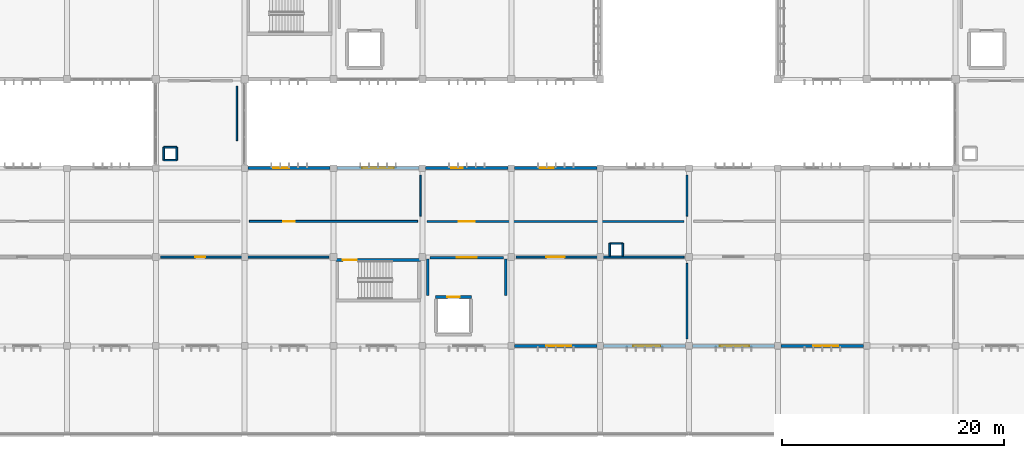
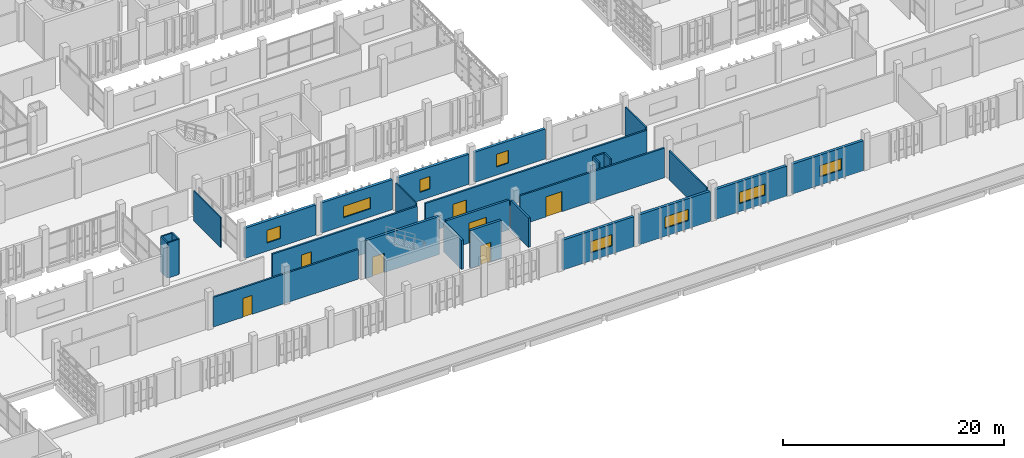
# One storey, part 113 of 137: 28 walls, 8 windows, 7 doors, 15 openings.
"""IFC4 building model written with IfcOpenShell, lengths in metres."""

from ifc_helpers import new_model, si_unit, direction, frame, frame_2d, origin, place, context, subcontext, project, spatial, rectangle, extrude, material, layer, layer_set, type_object, element, fill, save


model = new_model("IFC4")

# Units and contexts
model_context = context("Model", 3, precision=1e-05, world=origin(), true_north=direction((0.0, 1.0)))
body_context = subcontext(model_context, "Body", "Model", "MODEL_VIEW")
ifc_project = project(units=[si_unit("LENGTHUNIT", "METRE"), si_unit("AREAUNIT", "SQUARE_METRE"), si_unit("VOLUMEUNIT", "CUBIC_METRE"), si_unit("PLANEANGLEUNIT", "RADIAN"), si_unit("MASSUNIT", "GRAM", prefix="KILO")], contexts=[model_context])

# Site, building, storey
site_placement = place(None, origin())
site = spatial("IfcSite", under=ifc_project, at=site_placement, CompositionType="ELEMENT")
building_placement = place(site_placement, origin())
building = spatial("IfcBuilding", under=site, at=building_placement, Name="Jelvoka-Kovrelna Polytechnic", CompositionType="ELEMENT")
storey_placement = place(building_placement, frame((0.0, 0.0, 9.60009765625)))
storey = spatial("IfcBuildingStorey", under=building, at=storey_placement, Name="L03", CompositionType="ELEMENT", Elevation=9.60009765625)

# Wall, opening, door
ifc_material_1 = material(Name="Concrete C35/45", Category="concrete")
ifc_layer_1 = layer(ifc_material_1, 0.219970703125)
ifc_layer_set_1 = layer_set([ifc_layer_1], Name="Concrete C35/45")
wall_type_1 = type_object("IfcWallType", Name="Wall_Compartment_220", PredefinedType="PARTITIONING", material=ifc_layer_set_1)
wall_1_placement = place(storey_placement, frame((96.699951171875, 15.949951171875, 0.0), z_axis=(0.0, 0.0, 1.0), x_axis=(1.0, 0.0, 0.0)))
wall_1 = element("IfcWall", 1, at=wall_1_placement, inside=storey, type_object=wall_type_1, Name="L03 interior wall 0538", PredefinedType="PARTITIONING", context=body_context, shape_type="SweptSolid", body=[
    extrude(rectangle(XDim=6.60009765625, YDim=0.219970703125, at=frame_2d((3.300048828125, 0.0))), origin(), (0.0, 0.0, 1.0), 3.27490234375),
])
opening_1_placement = place(wall_1_placement, frame((2.39990234375, 0.0, 0.0)))
opening_1 = element("IfcOpeningElement", 2, at=opening_1_placement, cuts=wall_1, Name="Opening FD-L03-099", PredefinedType="OPENING", context=body_context, shape_type="SweptSolid", body=[
    extrude(rectangle(XDim=1.800048828125, YDim=2.199951171875, at=frame_2d((0.89990234375, 1.10009765625))), frame((0.0, 0.119873046875, 0.0), z_axis=(0.0, -1.0, 0.0), x_axis=(1.0, 0.0, 0.0)), (0.0, 0.0, 1.0), 0.239990234375),
])
ifc_material_2 = material(Name="Paired steel corridor fire door", Category="steel")
door_type_1 = type_object("IfcDoorType", Name="Door_Fire_FD03", OperationType="NOTDEFINED", PredefinedType="DOOR", material=ifc_material_2)
door_1_placement = place(opening_1_placement, origin())
door_1 = element("IfcDoor", 3, at=door_1_placement, inside=storey, type_object=door_type_1, Name="L03 interior door FD-L03-099", OperationType="DOUBLE_DOOR_SINGLE_SWING", OverallHeight=2.199951171875, OverallWidth=1.800048828125, PredefinedType="DOOR", context=body_context, shape_type="SweptSolid", body=[
    extrude(rectangle(XDim=1.800048828125, YDim=2.199951171875, at=frame_2d((0.89990234375, 1.10009765625))), frame((0.0, 0.02490234375, 0.0), z_axis=(0.0, -1.0, 0.0), x_axis=(1.0, 0.0, 0.0)), (0.0, 0.0, 1.0), 0.050048828125),
])
fill(opening_1, door_1)

# Walls
for number, where, z_axis, x_axis, name in (
    (4, (96.5, 12.550048828125, 0.0), (0.0, 0.0, 1.0), (0.0, 1.0, 0.0), "L03 interior wall 0539"),
    (5, (103.5, 12.550048828125, 0.0), (0.0, 0.0, 1.0), (0.0, 1.0, 0.0), "L03 interior wall 0540"),
):
    element("IfcWall", number, at=place(storey_placement, frame(where, z_axis=z_axis, x_axis=x_axis)), inside=storey, type_object=wall_type_1, Name=name, PredefinedType="PARTITIONING", context=body_context, shape_type="SweptSolid", body=[
        extrude(rectangle(XDim=3.25, YDim=0.219970703125, at=frame_2d((1.625, 0.0))), origin(), (0.0, 0.0, 1.0), 3.224853515625),
    ])

# Wall, opening, door
ifc_material_3 = material(Name="Concrete C40/50", Category="concrete")
ifc_layer_2 = layer(ifc_material_3, 0.25)
ifc_layer_set_2 = layer_set([ifc_layer_2], Name="Concrete C40/50")
wall_type_2 = type_object("IfcWallType", Name="Wall_Core_250", PredefinedType="SOLIDWALL", material=ifc_layer_set_2)
wall_2_placement = place(storey_placement, frame((88.199951171875, 15.739990234375, 0.0), z_axis=(0.0, 0.0, 1.0), x_axis=(1.0, 0.0, 0.0)))
wall_2 = element("IfcWall", 6, at=wall_2_placement, inside=storey, type_object=wall_type_2, Name="L03 interior wall 0075", PredefinedType="SOLIDWALL", context=body_context, shape_type="SweptSolid", body=[
    extrude(rectangle(XDim=7.650146484375, YDim=0.25, at=frame_2d((3.8251953125, 0.0))), origin(), (0.0, 0.0, 1.0), 4.199951171875),
])
opening_2_placement = place(wall_2_placement, frame((0.64990234375, 0.0, 0.0)))
opening_2 = element("IfcOpeningElement", 7, at=opening_2_placement, cuts=wall_2, Name="Opening SD-L03-019", PredefinedType="OPENING", context=body_context, shape_type="SweptSolid", body=[
    extrude(rectangle(XDim=1.25, YDim=2.14990234375, at=frame_2d((0.625, 1.074951171875))), frame((0.0, 0.135009765625, 0.0), z_axis=(0.0, -1.0, 0.0), x_axis=(1.0, 0.0, 0.0)), (0.0, 0.0, 1.0), 0.27001953125),
])
ifc_material_4 = material(Name="Powder-coated steel fire door", Category="steel")
door_type_2 = type_object("IfcDoorType", Name="Door_Fire_FD02", OperationType="NOTDEFINED", PredefinedType="DOOR", material=ifc_material_4)
door_2_placement = place(opening_2_placement, origin())
door_2 = element("IfcDoor", 8, at=door_2_placement, inside=storey, type_object=door_type_2, Name="L03 interior door SD-L03-019", OperationType="SINGLE_SWING_LEFT", OverallHeight=2.14990234375, OverallWidth=1.25, PredefinedType="DOOR", context=body_context, shape_type="SweptSolid", body=[
    extrude(rectangle(XDim=1.25, YDim=2.14990234375, at=frame_2d((0.625, 1.074951171875))), frame((0.0, 0.02490234375, 0.0), z_axis=(0.0, -1.0, 0.0), x_axis=(1.0, 0.0, 0.0)), (0.0, 0.0, 1.0), 0.050048828125),
])
fill(opening_2, door_2)

wall_3_placement = place(storey_placement, frame((97.199951171875, 12.39990234375, 0.0), z_axis=(0.0, 0.0, 1.0), x_axis=(1.0, 0.0, 0.0)))
wall_3 = element("IfcWall", 9, at=wall_3_placement, inside=storey, type_object=wall_type_2, Name="L03 interior wall 0535", PredefinedType="SOLIDWALL", context=body_context, shape_type="SweptSolid", body=[
    extrude(rectangle(XDim=3.199951171875, YDim=0.25, at=frame_2d((1.60009765625, 0.0))), origin(), (0.0, 0.0, 1.0), 4.199951171875),
])
opening_3_placement = place(wall_3_placement, frame((1.050048828125, 0.0, 0.0)))
opening_3 = element("IfcOpeningElement", 10, at=opening_3_placement, cuts=wall_3, Name="Opening LD-L03-36", PredefinedType="OPENING", context=body_context, shape_type="SweptSolid", body=[
    extrude(rectangle(XDim=1.10009765625, YDim=2.14990234375, at=frame_2d((0.550048828125, 1.074951171875))), frame((0.0, 0.135009765625, 0.0), z_axis=(0.0, -1.0, 0.0), x_axis=(1.0, 0.0, 0.0)), (0.0, 0.0, 1.0), 0.27001953125),
])
ifc_material_5 = material(Name="Brushed stainless steel sliding landing door", Category="steel")
door_type_3 = type_object("IfcDoorType", Name="Door_Lift_LD01", OperationType="NOTDEFINED", PredefinedType="DOOR", material=ifc_material_5)
door_3_placement = place(opening_3_placement, origin())
door_3 = element("IfcDoor", 11, at=door_3_placement, inside=storey, type_object=door_type_3, Name="L03 lift landing sliding door LD-L03-36", OperationType="DOUBLE_DOOR_SLIDING", OverallHeight=2.14990234375, OverallWidth=1.10009765625, PredefinedType="DOOR", context=body_context, shape_type="SweptSolid", body=[
    extrude(rectangle(XDim=1.10009765625, YDim=2.14990234375, at=frame_2d((0.550048828125, 1.074951171875))), frame((0.0, 0.02490234375, 0.0), z_axis=(0.0, -1.0, 0.0), x_axis=(1.0, 0.0, 0.0)), (0.0, 0.0, 1.0), 0.050048828125),
])
fill(opening_3, door_3)

ifc_material_6 = material(Name="Autoclaved aerated concrete blockwork", Category="masonry")
ifc_layer_3 = layer(ifc_material_6, 0.179931640625)
ifc_layer_set_3 = layer_set([ifc_layer_3], Name="Autoclaved aerated concrete blockwork")
wall_type_3 = type_object("IfcWallType", Name="Wall_Corridor_180", PredefinedType="PARTITIONING", material=ifc_layer_set_3)
wall_4_placement = place(storey_placement, frame((72.429931640625, 16.0, 0.0), z_axis=(0.0, 0.0, 1.0), x_axis=(1.0, 0.0, 0.0)))
wall_4 = element("IfcWall", 12, at=wall_4_placement, inside=storey, type_object=wall_type_3, Name="L03 interior wall 1036", PredefinedType="PARTITIONING", context=body_context, shape_type="SweptSolid", body=[
    extrude(rectangle(XDim=15.14013671875, YDim=0.179931640625, at=frame_2d((7.570068359375, 0.0))), origin(), (0.0, 0.0, 1.0), 3.27490234375),
])
opening_4_placement = place(wall_4_placement, frame((3.10009765625, 0.0, 0.0)))
opening_4 = element("IfcOpeningElement", 13, at=opening_4_placement, cuts=wall_4, Name="Opening D-L03-281", PredefinedType="OPENING", context=body_context, shape_type="SweptSolid", body=[
    extrude(rectangle(XDim=0.93994140625, YDim=2.10009765625, at=frame_2d((0.469970703125, 1.050048828125))), frame((0.0, 0.099853515625, 0.0), z_axis=(0.0, -1.0, 0.0), x_axis=(1.0, 0.0, 0.0)), (0.0, 0.0, 1.0), 0.199951171875),
])
ifc_material_7 = material(Name="Hardwood solid-core door", Category="wood")
door_type_4 = type_object("IfcDoorType", Name="Door_Int_D02", OperationType="NOTDEFINED", PredefinedType="DOOR", material=ifc_material_7)
door_4_placement = place(opening_4_placement, origin())
door_4 = element("IfcDoor", 14, at=door_4_placement, inside=storey, type_object=door_type_4, Name="L03 interior door D-L03-281", OperationType="SINGLE_SWING_RIGHT", OverallHeight=2.10009765625, OverallWidth=0.93994140625, PredefinedType="DOOR", context=body_context, shape_type="SweptSolid", body=[
    extrude(rectangle(XDim=0.93994140625, YDim=2.10009765625, at=frame_2d((0.469970703125, 1.050048828125))), frame((0.0, 0.02490234375, 0.0), z_axis=(0.0, -1.0, 0.0), x_axis=(1.0, 0.0, 0.0)), (0.0, 0.0, 1.0), 0.050048828125),
])
fill(opening_4, door_4)

wall_5_placement = place(storey_placement, frame((104.429931640625, 16.0, 0.0), z_axis=(0.0, 0.0, 1.0), x_axis=(1.0, 0.0, 0.0)))
wall_5 = element("IfcWall", 15, at=wall_5_placement, inside=storey, type_object=wall_type_3, Name="L03 interior wall 1037", PredefinedType="PARTITIONING", context=body_context, shape_type="SweptSolid", body=[
    extrude(rectangle(XDim=15.14013671875, YDim=0.179931640625, at=frame_2d((7.570068359375, 0.0))), origin(), (0.0, 0.0, 1.0), 3.27490234375),
])
opening_5_placement = place(wall_5_placement, frame((2.739990234375, 0.0, 0.0)))
opening_5 = element("IfcOpeningElement", 16, at=opening_5_placement, cuts=wall_5, Name="Opening D-L03-282", PredefinedType="OPENING", context=body_context, shape_type="SweptSolid", body=[
    extrude(rectangle(XDim=1.659912109375, YDim=2.219970703125, at=frame_2d((0.830078125, 1.10986328125))), frame((0.0, 0.099853515625, 0.0), z_axis=(0.0, -1.0, 0.0), x_axis=(1.0, 0.0, 0.0)), (0.0, 0.0, 1.0), 0.199951171875),
])
ifc_material_8 = material(Name="Paired acoustic fire-resisting lecture door", Category="wood")
door_type_5 = type_object("IfcDoorType", Name="Door_Fire_FD30_08", OperationType="NOTDEFINED", PredefinedType="DOOR", material=ifc_material_8)
door_5_placement = place(opening_5_placement, origin())
door_5 = element("IfcDoor", 17, at=door_5_placement, inside=storey, type_object=door_type_5, Name="L03 interior door D-L03-282", OperationType="DOUBLE_DOOR_SINGLE_SWING", OverallHeight=2.219970703125, OverallWidth=1.659912109375, PredefinedType="DOOR", context=body_context, shape_type="SweptSolid", body=[
    extrude(rectangle(XDim=1.659912109375, YDim=2.219970703125, at=frame_2d((0.830078125, 1.10986328125))), frame((0.0, 0.02490234375, 0.0), z_axis=(0.0, -1.0, 0.0), x_axis=(1.0, 0.0, 0.0)), (0.0, 0.0, 1.0), 0.050048828125),
])
fill(opening_5, door_5)

wall_6_placement = place(storey_placement, frame((80.429931640625, 19.199951171875, 0.0), z_axis=(0.0, 0.0, 1.0), x_axis=(1.0, 0.0, 0.0)))
wall_6 = element("IfcWall", 18, at=wall_6_placement, inside=storey, type_object=wall_type_3, Name="L03 interior wall 1043", PredefinedType="PARTITIONING", context=body_context, shape_type="SweptSolid", body=[
    extrude(rectangle(XDim=15.14013671875, YDim=0.179931640625, at=frame_2d((7.570068359375, 0.0))), origin(), (0.0, 0.0, 1.0), 3.2998046875),
])
opening_6_placement = place(wall_6_placement, frame((3.050048828125, 0.0, 0.0)))
opening_6 = element("IfcOpeningElement", 19, at=opening_6_placement, cuts=wall_6, Name="Opening D-L03-286", PredefinedType="OPENING", context=body_context, shape_type="SweptSolid", body=[
    extrude(rectangle(XDim=1.0400390625, YDim=2.14990234375, at=frame_2d((0.52001953125, 1.074951171875))), frame((0.0, 0.099853515625, 0.0), z_axis=(0.0, -1.0, 0.0), x_axis=(1.0, 0.0, 0.0)), (0.0, 0.0, 1.0), 0.199951171875),
])
ifc_material_9 = material(Name="Hardwood acoustic seminar door", Category="wood")
door_type_6 = type_object("IfcDoorType", Name="Door_Int_D09", OperationType="NOTDEFINED", PredefinedType="DOOR", material=ifc_material_9)
door_6_placement = place(opening_6_placement, origin())
door_6 = element("IfcDoor", 20, at=door_6_placement, inside=storey, type_object=door_type_6, Name="L03 interior door D-L03-286", OperationType="SINGLE_SWING_LEFT", OverallHeight=2.14990234375, OverallWidth=1.0400390625, PredefinedType="DOOR", context=body_context, shape_type="SweptSolid", body=[
    extrude(rectangle(XDim=1.0400390625, YDim=2.14990234375, at=frame_2d((0.52001953125, 1.074951171875))), frame((0.0, 0.02490234375, 0.0), z_axis=(0.0, -1.0, 0.0), x_axis=(1.0, 0.0, 0.0)), (0.0, 0.0, 1.0), 0.050048828125),
])
fill(opening_6, door_6)

wall_7_placement = place(storey_placement, frame((96.429931640625, 19.199951171875, 0.0), z_axis=(0.0, 0.0, 1.0), x_axis=(1.0, 0.0, 0.0)))
wall_7 = element("IfcWall", 21, at=wall_7_placement, inside=storey, type_object=wall_type_3, Name="L03 interior wall 1045", PredefinedType="PARTITIONING", context=body_context, shape_type="SweptSolid", body=[
    extrude(rectangle(XDim=23.14013671875, YDim=0.179931640625, at=frame_2d((11.570068359375, 0.0))), origin(), (0.0, 0.0, 1.0), 3.2998046875),
])
opening_7_placement = place(wall_7_placement, frame((2.85009765625, 0.0, 0.0)))
opening_7 = element("IfcOpeningElement", 22, at=opening_7_placement, cuts=wall_7, Name="Opening D-L03-287", PredefinedType="OPENING", context=body_context, shape_type="SweptSolid", body=[
    extrude(rectangle(XDim=1.43994140625, YDim=2.199951171875, at=frame_2d((0.719970703125, 1.10009765625))), frame((0.0, 0.099853515625, 0.0), z_axis=(0.0, -1.0, 0.0), x_axis=(1.0, 0.0, 0.0)), (0.0, 0.0, 1.0), 0.199951171875),
])
ifc_material_10 = material(Name="Paired hardwood fire-resisting lab door", Category="wood")
door_type_7 = type_object("IfcDoorType", Name="Door_Fire_FD30_06", OperationType="NOTDEFINED", PredefinedType="DOOR", material=ifc_material_10)
door_7_placement = place(opening_7_placement, origin())
door_7 = element("IfcDoor", 23, at=door_7_placement, inside=storey, type_object=door_type_7, Name="L03 interior door D-L03-287", OperationType="DOUBLE_DOOR_SINGLE_SWING", OverallHeight=2.199951171875, OverallWidth=1.43994140625, PredefinedType="DOOR", context=body_context, shape_type="SweptSolid", body=[
    extrude(rectangle(XDim=1.43994140625, YDim=2.199951171875, at=frame_2d((0.719970703125, 1.10009765625))), frame((0.0, 0.02490234375, 0.0), z_axis=(0.0, -1.0, 0.0), x_axis=(1.0, 0.0, 0.0)), (0.0, 0.0, 1.0), 0.050048828125),
])
fill(opening_7, door_7)

# Wall, opening, window
ifc_material_11 = material(Name="Precast concrete C40/50", Category="concrete")
ifc_layer_4 = layer(ifc_material_11, 0.280029296875)
ifc_layer_set_4 = layer_set([ifc_layer_4], Name="Precast concrete C40/50")
wall_type_4 = type_object("IfcWallType", Name="Wall_Ext_White_280", PredefinedType="STANDARD", material=ifc_layer_set_4)
wall_8_placement = place(storey_placement, frame((80.297119140625, 24.0, 0.0), z_axis=(0.0, 0.0, 1.0), x_axis=(1.0, 0.0, 0.0)))
wall_8 = element("IfcWall", 24, at=wall_8_placement, inside=storey, type_object=wall_type_4, Name="L03 exterior wall 0288", PredefinedType="STANDARD", context=body_context, shape_type="SweptSolid", body=[
    extrude(rectangle(XDim=7.40576171875, YDim=0.280029296875, at=frame_2d((3.702880859375, 0.0))), origin(), (0.0, 0.0, 1.0), 3.324951171875),
])
opening_8_placement = place(wall_8_placement, frame((2.282958984375, 0.0, 0.89990234375)))
opening_8 = element("IfcOpeningElement", 25, at=opening_8_placement, cuts=wall_8, Name="Opening W-L03-050", PredefinedType="OPENING", context=body_context, shape_type="SweptSolid", body=[
    extrude(rectangle(XDim=1.449951171875, YDim=1.39990234375, at=frame_2d((0.72509765625, 0.699951171875))), frame((0.0, 0.150146484375, 0.0), z_axis=(0.0, -1.0, 0.0), x_axis=(1.0, 0.0, 0.0)), (0.0, 0.0, 1.0), 0.300048828125),
])
ifc_material_12 = material(Name="Thermally broken anodised aluminium and low-e glazing", Category="aluminium")
window_type_1 = type_object("IfcWindowType", Name="Win_Casement_W13", PartitioningType="SINGLE_PANEL", PredefinedType="WINDOW", material=ifc_material_12)
window_1_placement = place(opening_8_placement, origin())
window_1 = element("IfcWindow", 26, at=window_1_placement, inside=storey, type_object=window_type_1, Name="L03 aluminium casement window W-L03-050", OverallHeight=1.39990234375, OverallWidth=1.449951171875, PartitioningType="SINGLE_PANEL", PredefinedType="WINDOW", context=body_context, shape_type="SweptSolid", body=[
    extrude(rectangle(XDim=1.449951171875, YDim=1.39990234375, at=frame_2d((0.72509765625, 0.699951171875))), frame((0.0, 0.030029296875, 0.0), z_axis=(0.0, -1.0, 0.0), x_axis=(1.0, 0.0, 0.0)), (0.0, 0.0, 1.0), 0.06005859375),
])
fill(opening_8, window_1)

wall_9_placement = place(storey_placement, frame((88.297119140625, 24.0, 0.0), z_axis=(0.0, 0.0, 1.0), x_axis=(1.0, 0.0, 0.0)))
wall_9 = element("IfcWall", 27, at=wall_9_placement, inside=storey, type_object=wall_type_4, Name="L03 exterior wall 0290", PredefinedType="STANDARD", context=body_context, shape_type="SweptSolid", body=[
    extrude(rectangle(XDim=7.40576171875, YDim=0.280029296875, at=frame_2d((3.702880859375, 0.0))), origin(), (0.0, 0.0, 1.0), 3.324951171875),
])
opening_9_placement = place(wall_9_placement, frame((2.282958984375, 0.0, 0.89990234375)))
opening_9 = element("IfcOpeningElement", 28, at=opening_9_placement, cuts=wall_9, Name="Opening W-L03-052", PredefinedType="OPENING", context=body_context, shape_type="SweptSolid", body=[
    extrude(rectangle(XDim=2.85009765625, YDim=1.25, at=frame_2d((1.425048828125, 0.625))), frame((0.0, 0.150146484375, 0.0), z_axis=(0.0, -1.0, 0.0), x_axis=(1.0, 0.0, 0.0)), (0.0, 0.0, 1.0), 0.300048828125),
])
ifc_material_13 = material(Name="Thermally broken anodised aluminium and low-e glazing", Category="aluminium")
window_type_2 = type_object("IfcWindowType", Name="Win_Casement_W10", PartitioningType="DOUBLE_PANEL_VERTICAL", PredefinedType="WINDOW", material=ifc_material_13)
window_2_placement = place(opening_9_placement, origin())
window_2 = element("IfcWindow", 29, at=window_2_placement, inside=storey, type_object=window_type_2, Name="L03 aluminium casement window W-L03-052", OverallHeight=1.25, OverallWidth=2.85009765625, PartitioningType="DOUBLE_PANEL_VERTICAL", PredefinedType="WINDOW", context=body_context, shape_type="SweptSolid", body=[
    extrude(rectangle(XDim=2.85009765625, YDim=1.25, at=frame_2d((1.425048828125, 0.625))), frame((0.0, 0.030029296875, 0.0), z_axis=(0.0, -1.0, 0.0), x_axis=(1.0, 0.0, 0.0)), (0.0, 0.0, 1.0), 0.06005859375),
])
fill(opening_9, window_2)

wall_10_placement = place(storey_placement, frame((96.297119140625, 24.0, 0.0), z_axis=(0.0, 0.0, 1.0), x_axis=(1.0, 0.0, 0.0)))
wall_10 = element("IfcWall", 30, at=wall_10_placement, inside=storey, type_object=wall_type_4, Name="L03 exterior wall 0292", PredefinedType="STANDARD", context=body_context, shape_type="SweptSolid", body=[
    extrude(rectangle(XDim=7.40576171875, YDim=0.280029296875, at=frame_2d((3.702880859375, 0.0))), origin(), (0.0, 0.0, 1.0), 3.324951171875),
])
opening_10_placement = place(wall_10_placement, frame((2.282958984375, 0.0, 0.89990234375)))
opening_10 = element("IfcOpeningElement", 31, at=opening_10_placement, cuts=wall_10, Name="Opening W-L03-054", PredefinedType="OPENING", context=body_context, shape_type="SweptSolid", body=[
    extrude(rectangle(XDim=1.050048828125, YDim=1.39990234375, at=frame_2d((0.52490234375, 0.699951171875))), frame((0.0, 0.150146484375, 0.0), z_axis=(0.0, -1.0, 0.0), x_axis=(1.0, 0.0, 0.0)), (0.0, 0.0, 1.0), 0.300048828125),
])
ifc_material_14 = material(Name="Thermally broken anodised aluminium and low-e glazing", Category="aluminium")
window_type_3 = type_object("IfcWindowType", Name="Win_Casement_W11", PartitioningType="SINGLE_PANEL", PredefinedType="WINDOW", material=ifc_material_14)
window_3_placement = place(opening_10_placement, origin())
window_3 = element("IfcWindow", 32, at=window_3_placement, inside=storey, type_object=window_type_3, Name="L03 aluminium casement window W-L03-054", OverallHeight=1.39990234375, OverallWidth=1.050048828125, PartitioningType="SINGLE_PANEL", PredefinedType="WINDOW", context=body_context, shape_type="SweptSolid", body=[
    extrude(rectangle(XDim=1.050048828125, YDim=1.39990234375, at=frame_2d((0.52490234375, 0.699951171875))), frame((0.0, 0.030029296875, 0.0), z_axis=(0.0, -1.0, 0.0), x_axis=(1.0, 0.0, 0.0)), (0.0, 0.0, 1.0), 0.06005859375),
])
fill(opening_10, window_3)

wall_11_placement = place(storey_placement, frame((111.702880859375, 8.0, 0.0), z_axis=(0.0, 0.0, 1.0), x_axis=(-1.0, 0.0, 0.0)))
wall_11 = element("IfcWall", 33, at=wall_11_placement, inside=storey, type_object=wall_type_4, Name="L03 exterior wall 0293", PredefinedType="STANDARD", context=body_context, shape_type="SweptSolid", body=[
    extrude(rectangle(XDim=7.40576171875, YDim=0.280029296875, at=frame_2d((3.702880859375, 0.0))), origin(), (0.0, 0.0, 1.0), 3.324951171875),
])
opening_11_placement = place(wall_11_placement, frame((2.282958984375, 0.0, 0.89990234375)))
opening_11 = element("IfcOpeningElement", 34, at=opening_11_placement, cuts=wall_11, Name="Opening W-L03-055", PredefinedType="OPENING", context=body_context, shape_type="SweptSolid", body=[
    extrude(rectangle(XDim=2.25, YDim=1.25, at=frame_2d((1.125, 0.625))), frame((0.0, 0.150146484375, 0.0), z_axis=(0.0, -1.0, 0.0), x_axis=(1.0, 0.0, 0.0)), (0.0, 0.0, 1.0), 0.300048828125),
])
ifc_material_15 = material(Name="Thermally broken anodised aluminium and low-e glazing", Category="aluminium")
window_type_4 = type_object("IfcWindowType", Name="Win_Casement_W07", PartitioningType="DOUBLE_PANEL_VERTICAL", PredefinedType="WINDOW", material=ifc_material_15)
window_4_placement = place(opening_11_placement, origin())
window_4 = element("IfcWindow", 35, at=window_4_placement, inside=storey, type_object=window_type_4, Name="L03 aluminium casement window W-L03-055", OverallHeight=1.25, OverallWidth=2.25, PartitioningType="DOUBLE_PANEL_VERTICAL", PredefinedType="WINDOW", context=body_context, shape_type="SweptSolid", body=[
    extrude(rectangle(XDim=2.25, YDim=1.25, at=frame_2d((1.125, 0.625))), frame((0.0, 0.030029296875, 0.0), z_axis=(0.0, -1.0, 0.0), x_axis=(1.0, 0.0, 0.0)), (0.0, 0.0, 1.0), 0.06005859375),
])
fill(opening_11, window_4)

wall_12_placement = place(storey_placement, frame((104.297119140625, 24.0, 0.0), z_axis=(0.0, 0.0, 1.0), x_axis=(1.0, 0.0, 0.0)))
wall_12 = element("IfcWall", 36, at=wall_12_placement, inside=storey, type_object=wall_type_4, Name="L03 exterior wall 0294", PredefinedType="STANDARD", context=body_context, shape_type="SweptSolid", body=[
    extrude(rectangle(XDim=7.40576171875, YDim=0.280029296875, at=frame_2d((3.702880859375, 0.0))), origin(), (0.0, 0.0, 1.0), 3.324951171875),
])
opening_12_placement = place(wall_12_placement, frame((2.282958984375, 0.0, 0.89990234375)))
opening_12 = element("IfcOpeningElement", 37, at=opening_12_placement, cuts=wall_12, Name="Opening W-L03-056", PredefinedType="OPENING", context=body_context, shape_type="SweptSolid", body=[
    extrude(rectangle(XDim=1.25, YDim=1.39990234375, at=frame_2d((0.625, 0.699951171875))), frame((0.0, 0.150146484375, 0.0), z_axis=(0.0, -1.0, 0.0), x_axis=(1.0, 0.0, 0.0)), (0.0, 0.0, 1.0), 0.300048828125),
])
ifc_material_16 = material(Name="Thermally broken anodised aluminium and low-e glazing", Category="aluminium")
window_type_5 = type_object("IfcWindowType", Name="Win_Casement_W12", PartitioningType="SINGLE_PANEL", PredefinedType="WINDOW", material=ifc_material_16)
window_5_placement = place(opening_12_placement, origin())
window_5 = element("IfcWindow", 38, at=window_5_placement, inside=storey, type_object=window_type_5, Name="L03 aluminium casement window W-L03-056", OverallHeight=1.39990234375, OverallWidth=1.25, PartitioningType="SINGLE_PANEL", PredefinedType="WINDOW", context=body_context, shape_type="SweptSolid", body=[
    extrude(rectangle(XDim=1.25, YDim=1.39990234375, at=frame_2d((0.625, 0.699951171875))), frame((0.0, 0.030029296875, 0.0), z_axis=(0.0, -1.0, 0.0), x_axis=(1.0, 0.0, 0.0)), (0.0, 0.0, 1.0), 0.06005859375),
])
fill(opening_12, window_5)

wall_13_placement = place(storey_placement, frame((119.702880859375, 8.0, 0.0), z_axis=(0.0, 0.0, 1.0), x_axis=(-1.0, 0.0, 0.0)))
wall_13 = element("IfcWall", 39, at=wall_13_placement, inside=storey, type_object=wall_type_4, Name="L03 exterior wall 0295", PredefinedType="STANDARD", context=body_context, shape_type="SweptSolid", body=[
    extrude(rectangle(XDim=7.40576171875, YDim=0.280029296875, at=frame_2d((3.702880859375, 0.0))), origin(), (0.0, 0.0, 1.0), 3.324951171875),
])
opening_13_placement = place(wall_13_placement, frame((2.282958984375, 0.0, 0.89990234375)))
opening_13 = element("IfcOpeningElement", 40, at=opening_13_placement, cuts=wall_13, Name="Opening W-L03-057", PredefinedType="OPENING", context=body_context, shape_type="SweptSolid", body=[
    extrude(rectangle(XDim=2.449951171875, YDim=1.25, at=frame_2d((1.22509765625, 0.625))), frame((0.0, 0.150146484375, 0.0), z_axis=(0.0, -1.0, 0.0), x_axis=(1.0, 0.0, 0.0)), (0.0, 0.0, 1.0), 0.300048828125),
])
ifc_material_17 = material(Name="Thermally broken anodised aluminium and low-e glazing", Category="aluminium")
window_type_6 = type_object("IfcWindowType", Name="Win_Casement_W08", PartitioningType="DOUBLE_PANEL_VERTICAL", PredefinedType="WINDOW", material=ifc_material_17)
window_6_placement = place(opening_13_placement, origin())
window_6 = element("IfcWindow", 41, at=window_6_placement, inside=storey, type_object=window_type_6, Name="L03 aluminium casement window W-L03-057", OverallHeight=1.25, OverallWidth=2.449951171875, PartitioningType="DOUBLE_PANEL_VERTICAL", PredefinedType="WINDOW", context=body_context, shape_type="SweptSolid", body=[
    extrude(rectangle(XDim=2.449951171875, YDim=1.25, at=frame_2d((1.22509765625, 0.625))), frame((0.0, 0.030029296875, 0.0), z_axis=(0.0, -1.0, 0.0), x_axis=(1.0, 0.0, 0.0)), (0.0, 0.0, 1.0), 0.06005859375),
])
fill(opening_13, window_6)

wall_14_placement = place(storey_placement, frame((127.702880859375, 8.0, 0.0), z_axis=(0.0, 0.0, 1.0), x_axis=(-1.0, 0.0, 0.0)))
wall_14 = element("IfcWall", 42, at=wall_14_placement, inside=storey, type_object=wall_type_4, Name="L03 exterior wall 0297", PredefinedType="STANDARD", context=body_context, shape_type="SweptSolid", body=[
    extrude(rectangle(XDim=7.40576171875, YDim=0.280029296875, at=frame_2d((3.702880859375, 0.0))), origin(), (0.0, 0.0, 1.0), 3.324951171875),
])
opening_14_placement = place(wall_14_placement, frame((2.282958984375, 0.0, 0.89990234375)))
opening_14 = element("IfcOpeningElement", 43, at=opening_14_placement, cuts=wall_14, Name="Opening W-L03-059", PredefinedType="OPENING", context=body_context, shape_type="SweptSolid", body=[
    extrude(rectangle(XDim=2.64990234375, YDim=1.25, at=frame_2d((1.324951171875, 0.625))), frame((0.0, 0.150146484375, 0.0), z_axis=(0.0, -1.0, 0.0), x_axis=(1.0, 0.0, 0.0)), (0.0, 0.0, 1.0), 0.300048828125),
])
ifc_material_18 = material(Name="Thermally broken anodised aluminium and low-e glazing", Category="aluminium")
window_type_7 = type_object("IfcWindowType", Name="Win_Casement_W09", PartitioningType="DOUBLE_PANEL_VERTICAL", PredefinedType="WINDOW", material=ifc_material_18)
window_7_placement = place(opening_14_placement, origin())
window_7 = element("IfcWindow", 44, at=window_7_placement, inside=storey, type_object=window_type_7, Name="L03 aluminium casement window W-L03-059", OverallHeight=1.25, OverallWidth=2.64990234375, PartitioningType="DOUBLE_PANEL_VERTICAL", PredefinedType="WINDOW", context=body_context, shape_type="SweptSolid", body=[
    extrude(rectangle(XDim=2.64990234375, YDim=1.25, at=frame_2d((1.324951171875, 0.625))), frame((0.0, 0.030029296875, 0.0), z_axis=(0.0, -1.0, 0.0), x_axis=(1.0, 0.0, 0.0)), (0.0, 0.0, 1.0), 0.06005859375),
])
fill(opening_14, window_7)

wall_15_placement = place(storey_placement, frame((135.702880859375, 8.0, 0.0), z_axis=(0.0, 0.0, 1.0), x_axis=(-1.0, 0.0, 0.0)))
wall_15 = element("IfcWall", 45, at=wall_15_placement, inside=storey, type_object=wall_type_4, Name="L03 exterior wall 0299", PredefinedType="STANDARD", context=body_context, shape_type="SweptSolid", body=[
    extrude(rectangle(XDim=7.40576171875, YDim=0.280029296875, at=frame_2d((3.702880859375, 0.0))), origin(), (0.0, 0.0, 1.0), 3.324951171875),
])
opening_15_placement = place(wall_15_placement, frame((2.282958984375, 0.0, 0.89990234375)))
opening_15 = element("IfcOpeningElement", 46, at=opening_15_placement, cuts=wall_15, Name="Opening W-L03-061", PredefinedType="OPENING", context=body_context, shape_type="SweptSolid", body=[
    extrude(rectangle(XDim=2.25, YDim=1.25, at=frame_2d((1.125, 0.625))), frame((0.0, 0.150146484375, 0.0), z_axis=(0.0, -1.0, 0.0), x_axis=(1.0, 0.0, 0.0)), (0.0, 0.0, 1.0), 0.300048828125),
])
window_8_placement = place(opening_15_placement, origin())
window_8 = element("IfcWindow", 47, at=window_8_placement, inside=storey, type_object=window_type_4, Name="L03 aluminium casement window W-L03-061", OverallHeight=1.25, OverallWidth=2.25, PartitioningType="DOUBLE_PANEL_VERTICAL", PredefinedType="WINDOW", context=body_context, shape_type="SweptSolid", body=[
    extrude(rectangle(XDim=2.25, YDim=1.25, at=frame_2d((1.125, 0.625))), frame((0.0, 0.030029296875, 0.0), z_axis=(0.0, -1.0, 0.0), x_axis=(1.0, 0.0, 0.0)), (0.0, 0.0, 1.0), 0.06005859375),
])
fill(opening_15, window_8)

# Walls
ifc_material_19 = material(Name="Acoustic gypsum stud partition")
ifc_layer_5 = layer(ifc_material_19, 0.125)
ifc_layer_set_5 = layer_set([ifc_layer_5], Name="Acoustic gypsum stud partition")
wall_type_5 = type_object("IfcWallType", Name="Wall_Partition_125", PredefinedType="PARTITIONING", material=ifc_layer_set_5)
wall_16_placement = place(storey_placement, frame((95.820068359375, 19.669921875, 0.0), z_axis=(0.0, 0.0, 1.0), x_axis=(0.0, 1.0, 0.0)))
element("IfcWall", 48, at=wall_16_placement, inside=storey, type_object=wall_type_5, Name="L03 interior wall 1044", PredefinedType="PARTITIONING", context=body_context, shape_type="SweptSolid", body=[
    extrude(rectangle(XDim=3.7099609375, YDim=0.125, at=frame_2d((1.85498046875, 0.0))), origin(), (0.0, 0.0, 1.0), 3.224853515625),
])
wall_17_placement = place(storey_placement, frame((79.300048828125, 26.469970703125, 0.0), z_axis=(0.0, 0.0, 1.0), x_axis=(0.0, 1.0, 0.0)))
element("IfcWall", 49, at=wall_17_placement, inside=storey, type_object=wall_type_5, Name="L03 interior wall 1078", PredefinedType="PARTITIONING", context=body_context, shape_type="SweptSolid", body=[
    extrude(rectangle(XDim=4.909912109375, YDim=0.125, at=frame_2d((2.455078125, 0.0))), origin(), (0.0, 0.0, 1.0), 3.2998046875),
])
ifc_material_20 = material(Name="Autoclaved aerated concrete blockwork", Category="masonry")
ifc_layer_6 = layer(ifc_material_20, 0.14990234375)
ifc_layer_set_6 = layer_set([ifc_layer_6], Name="Autoclaved aerated concrete blockwork")
wall_type_6 = type_object("IfcWallType", Name="Wall_Partition_150", PredefinedType="PARTITIONING", material=ifc_layer_set_6)
wall_18_placement = place(storey_placement, frame((114.030029296875, 16.090087890625, 0.0), z_axis=(0.0, 0.0, 1.0), x_axis=(0.0, 1.0, 0.0)))
element("IfcWall", 50, at=wall_18_placement, inside=storey, type_object=wall_type_6, Name="L03 interior wall 0718", PredefinedType="PARTITIONING", context=body_context, shape_type="SweptSolid", body=[
    extrude(rectangle(XDim=1.139892578125, YDim=0.14990234375, at=frame_2d((0.56982421875, 0.0))), origin(), (0.0, 0.0, 1.0), 3.89990234375),
])
wall_19_placement = place(storey_placement, frame((114.030029296875, 17.22998046875, 0.0), z_axis=(0.0, 0.0, 1.0), x_axis=(-1.0, 0.0, 0.0)))
element("IfcWall", 51, at=wall_19_placement, inside=storey, type_object=wall_type_6, Name="L03 interior wall 0719", PredefinedType="PARTITIONING", context=body_context, shape_type="SweptSolid", body=[
    extrude(rectangle(XDim=1.159912109375, YDim=0.14990234375, at=frame_2d((0.580078125, 0.0))), origin(), (0.0, 0.0, 1.0), 3.89990234375),
])
wall_20_placement = place(storey_placement, frame((112.8701171875, 17.22998046875, 0.0), z_axis=(0.0, 0.0, 1.0), x_axis=(0.0, -1.0, 0.0)))
element("IfcWall", 52, at=wall_20_placement, inside=storey, type_object=wall_type_6, Name="L03 interior wall 0720", PredefinedType="PARTITIONING", context=body_context, shape_type="SweptSolid", body=[
    extrude(rectangle(XDim=1.139892578125, YDim=0.14990234375, at=frame_2d((0.56982421875, 0.0))), origin(), (0.0, 0.0, 1.0), 3.89990234375),
])
for number, where, z_axis, x_axis, name in (
    (53, (72.719970703125, 24.719970703125, 0.0), (0.0, 0.0, 1.0), (1.0, 0.0, 0.0), "L03 interior wall 0721"),
    (54, (73.8798828125, 24.719970703125, 0.0), (0.0, 0.0, 1.0), (0.0, 1.0, 0.0), "L03 interior wall 0722"),
    (55, (73.8798828125, 25.8798828125, 0.0), (0.0, 0.0, 1.0), (-1.0, 0.0, 0.0), "L03 interior wall 0723"),
    (56, (72.719970703125, 25.8798828125, 0.0), (0.0, 0.0, 1.0), (0.0, -1.0, 0.0), "L03 interior wall 0724"),
):
    element("IfcWall", number, at=place(storey_placement, frame(where, z_axis=z_axis, x_axis=x_axis)), inside=storey, type_object=wall_type_6, Name=name, PredefinedType="PARTITIONING", context=body_context, shape_type="SweptSolid", body=[
        extrude(rectangle(XDim=1.159912109375, YDim=0.14990234375, at=frame_2d((0.580078125, 0.0))), origin(), (0.0, 0.0, 1.0), 3.89990234375),
    ])
wall_21_placement = place(storey_placement, frame((119.820068359375, 8.6201171875, 0.0), z_axis=(0.0, 0.0, 1.0), x_axis=(0.0, 1.0, 0.0)))
element("IfcWall", 57, at=wall_21_placement, inside=storey, type_object=wall_type_6, Name="L03 interior wall 1038", PredefinedType="PARTITIONING", context=body_context, shape_type="SweptSolid", body=[
    extrude(rectangle(XDim=6.809814453125, YDim=0.14990234375, at=frame_2d((3.40478515625, 0.0))), origin(), (0.0, 0.0, 1.0), 3.224853515625),
])
wall_22_placement = place(storey_placement, frame((119.820068359375, 19.669921875, 0.0), z_axis=(0.0, 0.0, 1.0), x_axis=(0.0, 1.0, 0.0)))
element("IfcWall", 58, at=wall_22_placement, inside=storey, type_object=wall_type_6, Name="L03 interior wall 1046", PredefinedType="PARTITIONING", context=body_context, shape_type="SweptSolid", body=[
    extrude(rectangle(XDim=3.7099609375, YDim=0.14990234375, at=frame_2d((1.85498046875, 0.0))), origin(), (0.0, 0.0, 1.0), 3.224853515625),
])

save(model, "model.ifc")
